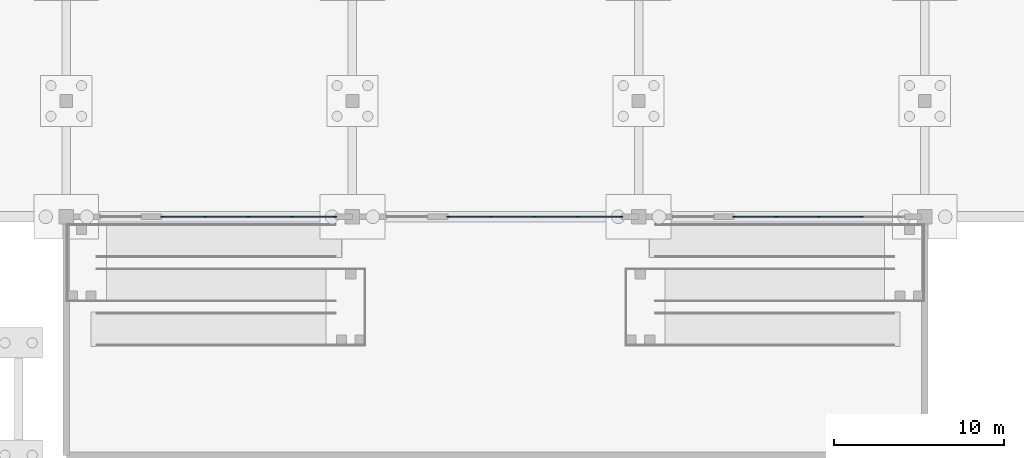
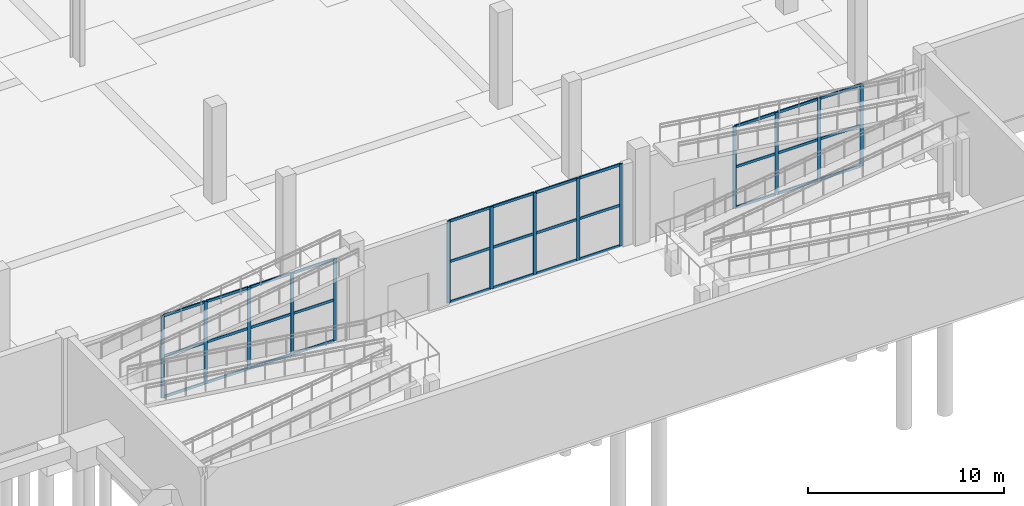
# One storey, part 21 of 46: 47 members, 3 elements without a shape of their own.
"""IFC4 building model written with IfcOpenShell, lengths in metres."""

from ifc_helpers import new_model, si_unit, direction, frame, origin, origin_2d, place, context, subcontext, project, spatial, rectangle, extrude, material, material_profile, profile_set, type_object, element, aggregate, save


model = new_model("IFC4")

# Units and contexts
model_context = context("Model", 3, precision=1e-05, world=origin(), true_north=direction((0.0, 1.0)))
body_context = subcontext(model_context, "Body", "Model", "MODEL_VIEW")
ifc_project = project(units=[si_unit("LENGTHUNIT", "METRE"), si_unit("AREAUNIT", "SQUARE_METRE"), si_unit("VOLUMEUNIT", "CUBIC_METRE"), si_unit("PLANEANGLEUNIT", "RADIAN"), si_unit("MASSUNIT", "GRAM", prefix="KILO")], contexts=[model_context])

# Site, building, storey
site_placement = place(None, origin())
site = spatial("IfcSite", under=ifc_project, at=site_placement, CompositionType="ELEMENT")
building_placement = place(site_placement, origin())
building = spatial("IfcBuilding", under=site, at=building_placement, Name="Kimbaza Rail Terminus", CompositionType="ELEMENT")
storey_placement = place(building_placement, frame((0.0, 0.0, -6.0)))
storey = spatial("IfcBuildingStorey", under=building, at=storey_placement, Name="B1", CompositionType="ELEMENT", Elevation=-6.0)

# Curtain wall, members
ifc_material_1 = material(Name="Anodised aluminium framing and solar low-E glazing", Category="aluminium")
curtain_wall_type = type_object("IfcCurtainWallType", Name="ARC-CW-CN1", PredefinedType="USERDEFINED", material=ifc_material_1)
curtain_wall_1_placement = place(storey_placement, origin())
curtain_wall_1 = element("IfcCurtainWall", 1, at=curtain_wall_1_placement, inside=storey, type_object=curtain_wall_type, Name="Metro Sunken Plaza Curtain Wall 1", ObjectType="UNITISED CURTAIN WALL", PredefinedType="USERDEFINED")
ifc_material_2 = material(Name="Anodised architectural aluminium", Category="aluminium")
ifc_material_profile_1 = material_profile(ifc_material_2, rectangle(XDim=0.070068359375, YDim=0.199951171875, at=origin_2d()), Name="MULLION 70x200")
ifc_profile_set_1 = profile_set([ifc_material_profile_1], Name="Anodised architectural aluminium")
member_type_1 = type_object("IfcMemberType", Name="ARC-CWM-02", PredefinedType="MULLION", material=ifc_profile_set_1)
member_1_placement = place(storey_placement, frame((94.43505859375, 27.0, 0.0), z_axis=(0.0, 0.0, 1.0), x_axis=(0.0, 1.0, 0.0)))
member_1 = element("IfcMember", 2, at=member_1_placement, type_object=member_type_1, Name="CW-02 mullion 1", PredefinedType="MULLION", context=body_context, shape_type="SweptSolid", body=[
    extrude(rectangle(XDim=0.070068359375, YDim=0.199951171875, at=origin_2d()), origin(), (0.0, 0.0, 1.0), 5.10009765625),
])
member_2_placement = place(storey_placement, frame((96.949951171875, 27.0, 0.0), z_axis=(0.0, 0.0, 1.0), x_axis=(0.0, 1.0, 0.0)))
member_2 = element("IfcMember", 3, at=member_2_placement, type_object=member_type_1, Name="CW-02 mullion 2", PredefinedType="MULLION", context=body_context, shape_type="SweptSolid", body=[
    extrude(rectangle(XDim=0.070068359375, YDim=0.199951171875, at=origin_2d()), origin(), (0.0, 0.0, 1.0), 5.10009765625),
])
member_3_placement = place(storey_placement, frame((99.5, 27.0, 0.0), z_axis=(0.0, 0.0, 1.0), x_axis=(0.0, 1.0, 0.0)))
member_3 = element("IfcMember", 4, at=member_3_placement, type_object=member_type_1, Name="CW-02 mullion 3", PredefinedType="MULLION", context=body_context, shape_type="SweptSolid", body=[
    extrude(rectangle(XDim=0.070068359375, YDim=0.199951171875, at=origin_2d()), origin(), (0.0, 0.0, 1.0), 5.10009765625),
])
member_4_placement = place(storey_placement, frame((102.050048828125, 27.0, 0.0), z_axis=(0.0, 0.0, 1.0), x_axis=(0.0, 1.0, 0.0)))
member_4 = element("IfcMember", 5, at=member_4_placement, type_object=member_type_1, Name="CW-02 mullion 4", PredefinedType="MULLION", context=body_context, shape_type="SweptSolid", body=[
    extrude(rectangle(XDim=0.070068359375, YDim=0.199951171875, at=origin_2d()), origin(), (0.0, 0.0, 1.0), 5.10009765625),
])
member_5_placement = place(storey_placement, frame((104.56494140625, 27.0, 0.0), z_axis=(0.0, 0.0, 1.0), x_axis=(0.0, 1.0, 0.0)))
member_5 = element("IfcMember", 6, at=member_5_placement, type_object=member_type_1, Name="CW-02 mullion 5", PredefinedType="MULLION", context=body_context, shape_type="SweptSolid", body=[
    extrude(rectangle(XDim=0.070068359375, YDim=0.199951171875, at=origin_2d()), origin(), (0.0, 0.0, 1.0), 5.10009765625),
])

curtain_wall_2_placement = place(storey_placement, origin())
curtain_wall_2 = element("IfcCurtainWall", 7, at=curtain_wall_2_placement, inside=storey, type_object=curtain_wall_type, Name="Metro Sunken Plaza Curtain Wall 2", ObjectType="UNITISED CURTAIN WALL", PredefinedType="USERDEFINED")
member_6_placement = place(storey_placement, frame((111.235107421875, 27.0, 0.0), z_axis=(0.0, 0.0, 1.0), x_axis=(0.0, 1.0, 0.0)))
member_6 = element("IfcMember", 8, at=member_6_placement, type_object=member_type_1, Name="CW-02 mullion 1", PredefinedType="MULLION", context=body_context, shape_type="SweptSolid", body=[
    extrude(rectangle(XDim=0.070068359375, YDim=0.199951171875, at=origin_2d()), origin(), (0.0, 0.0, 1.0), 5.10009765625),
])
member_7_placement = place(storey_placement, frame((113.75, 27.0, 0.0), z_axis=(0.0, 0.0, 1.0), x_axis=(0.0, 1.0, 0.0)))
member_7 = element("IfcMember", 9, at=member_7_placement, type_object=member_type_1, Name="CW-02 mullion 2", PredefinedType="MULLION", context=body_context, shape_type="SweptSolid", body=[
    extrude(rectangle(XDim=0.070068359375, YDim=0.199951171875, at=origin_2d()), origin(), (0.0, 0.0, 1.0), 5.10009765625),
])
member_8_placement = place(storey_placement, frame((116.300048828125, 27.0, 0.0), z_axis=(0.0, 0.0, 1.0), x_axis=(0.0, 1.0, 0.0)))
member_8 = element("IfcMember", 10, at=member_8_placement, type_object=member_type_1, Name="CW-02 mullion 3", PredefinedType="MULLION", context=body_context, shape_type="SweptSolid", body=[
    extrude(rectangle(XDim=0.070068359375, YDim=0.199951171875, at=origin_2d()), origin(), (0.0, 0.0, 1.0), 5.10009765625),
])
member_9_placement = place(storey_placement, frame((118.85009765625, 27.0, 0.0), z_axis=(0.0, 0.0, 1.0), x_axis=(0.0, 1.0, 0.0)))
member_9 = element("IfcMember", 11, at=member_9_placement, type_object=member_type_1, Name="CW-02 mullion 4", PredefinedType="MULLION", context=body_context, shape_type="SweptSolid", body=[
    extrude(rectangle(XDim=0.070068359375, YDim=0.199951171875, at=origin_2d()), origin(), (0.0, 0.0, 1.0), 5.10009765625),
])
member_10_placement = place(storey_placement, frame((121.364990234375, 27.0, 0.0), z_axis=(0.0, 0.0, 1.0), x_axis=(0.0, 1.0, 0.0)))
member_10 = element("IfcMember", 12, at=member_10_placement, type_object=member_type_1, Name="CW-02 mullion 5", PredefinedType="MULLION", context=body_context, shape_type="SweptSolid", body=[
    extrude(rectangle(XDim=0.070068359375, YDim=0.199951171875, at=origin_2d()), origin(), (0.0, 0.0, 1.0), 5.10009765625),
])

curtain_wall_3_placement = place(storey_placement, origin())
curtain_wall_3 = element("IfcCurtainWall", 13, at=curtain_wall_3_placement, inside=storey, type_object=curtain_wall_type, Name="Metro Sunken Plaza Curtain Wall 3", ObjectType="UNITISED CURTAIN WALL", PredefinedType="USERDEFINED")
member_11_placement = place(storey_placement, frame((128.034912109375, 27.0, 0.0), z_axis=(0.0, 0.0, 1.0), x_axis=(0.0, 1.0, 0.0)))
member_11 = element("IfcMember", 14, at=member_11_placement, type_object=member_type_1, Name="CW-02 mullion 1", PredefinedType="MULLION", context=body_context, shape_type="SweptSolid", body=[
    extrude(rectangle(XDim=0.070068359375, YDim=0.199951171875, at=origin_2d()), origin(), (0.0, 0.0, 1.0), 5.10009765625),
])
member_12_placement = place(storey_placement, frame((130.5, 27.0, 0.0), z_axis=(0.0, 0.0, 1.0), x_axis=(0.0, 1.0, 0.0)))
member_12 = element("IfcMember", 15, at=member_12_placement, type_object=member_type_1, Name="CW-02 mullion 2", PredefinedType="MULLION", context=body_context, shape_type="SweptSolid", body=[
    extrude(rectangle(XDim=0.070068359375, YDim=0.199951171875, at=origin_2d()), origin(), (0.0, 0.0, 1.0), 5.10009765625),
])
member_13_placement = place(storey_placement, frame((133.0, 27.0, 0.0), z_axis=(0.0, 0.0, 1.0), x_axis=(0.0, 1.0, 0.0)))
member_13 = element("IfcMember", 16, at=member_13_placement, type_object=member_type_1, Name="CW-02 mullion 3", PredefinedType="MULLION", context=body_context, shape_type="SweptSolid", body=[
    extrude(rectangle(XDim=0.070068359375, YDim=0.199951171875, at=origin_2d()), origin(), (0.0, 0.0, 1.0), 5.10009765625),
])
member_14_placement = place(storey_placement, frame((135.5, 27.0, 0.0), z_axis=(0.0, 0.0, 1.0), x_axis=(0.0, 1.0, 0.0)))
member_14 = element("IfcMember", 17, at=member_14_placement, type_object=member_type_1, Name="CW-02 mullion 4", PredefinedType="MULLION", context=body_context, shape_type="SweptSolid", body=[
    extrude(rectangle(XDim=0.070068359375, YDim=0.199951171875, at=origin_2d()), origin(), (0.0, 0.0, 1.0), 5.10009765625),
])

# Member
ifc_material_3 = material(Name="Anodised architectural aluminium", Category="aluminium")
ifc_material_profile_2 = material_profile(ifc_material_3, rectangle(XDim=0.070068359375, YDim=0.159912109375, at=origin_2d()), Name="TRANSOM 70x160")
ifc_profile_set_2 = profile_set([ifc_material_profile_2], Name="Anodised architectural aluminium")
member_type_2 = type_object("IfcMemberType", Name="ARC-CWT-02", PredefinedType="USERDEFINED", material=ifc_profile_set_2)
member_15_placement = place(storey_placement, frame((94.469970703125, 27.0, 0.034912109375), z_axis=(1.0, 0.0, 0.0), x_axis=(0.0, 1.0, 0.0)))
member_15 = element("IfcMember", 18, at=member_15_placement, type_object=member_type_2, Name="CW-02 transom 1.1", ObjectType="TRANSOM", PredefinedType="USERDEFINED", context=body_context, shape_type="SweptSolid", body=[
    extrude(rectangle(XDim=0.070068359375, YDim=0.159912109375, at=origin_2d()), origin(), (0.0, 0.0, 1.0), 2.445068359375),
])

member_16_placement = place(storey_placement, frame((94.469970703125, 27.0, 2.550048828125), z_axis=(1.0, 0.0, 0.0), x_axis=(0.0, 1.0, 0.0)))
member_16 = element("IfcMember", 19, at=member_16_placement, type_object=member_type_2, Name="CW-02 transom 1.2", ObjectType="TRANSOM", PredefinedType="USERDEFINED", context=body_context, shape_type="SweptSolid", body=[
    extrude(rectangle(XDim=0.070068359375, YDim=0.159912109375, at=origin_2d()), origin(), (0.0, 0.0, 1.0), 2.445068359375),
])

member_17_placement = place(storey_placement, frame((94.469970703125, 27.0, 5.06494140625), z_axis=(1.0, 0.0, 0.0), x_axis=(0.0, 1.0, 0.0)))
member_17 = element("IfcMember", 20, at=member_17_placement, type_object=member_type_2, Name="CW-02 transom 1.3", ObjectType="TRANSOM", PredefinedType="USERDEFINED", context=body_context, shape_type="SweptSolid", body=[
    extrude(rectangle(XDim=0.070068359375, YDim=0.159912109375, at=origin_2d()), origin(), (0.0, 0.0, 1.0), 2.445068359375),
])

member_18_placement = place(storey_placement, frame((96.985107421875, 27.0, 0.034912109375), z_axis=(1.0, 0.0, 0.0), x_axis=(0.0, 1.0, 0.0)))
member_18 = element("IfcMember", 21, at=member_18_placement, type_object=member_type_2, Name="CW-02 transom 2.1", ObjectType="TRANSOM", PredefinedType="USERDEFINED", context=body_context, shape_type="SweptSolid", body=[
    extrude(rectangle(XDim=0.070068359375, YDim=0.159912109375, at=origin_2d()), origin(), (0.0, 0.0, 1.0), 2.47998046875),
])

member_19_placement = place(storey_placement, frame((96.985107421875, 27.0, 2.550048828125), z_axis=(1.0, 0.0, 0.0), x_axis=(0.0, 1.0, 0.0)))
member_19 = element("IfcMember", 22, at=member_19_placement, type_object=member_type_2, Name="CW-02 transom 2.2", ObjectType="TRANSOM", PredefinedType="USERDEFINED", context=body_context, shape_type="SweptSolid", body=[
    extrude(rectangle(XDim=0.070068359375, YDim=0.159912109375, at=origin_2d()), origin(), (0.0, 0.0, 1.0), 2.47998046875),
])

member_20_placement = place(storey_placement, frame((96.985107421875, 27.0, 5.06494140625), z_axis=(1.0, 0.0, 0.0), x_axis=(0.0, 1.0, 0.0)))
member_20 = element("IfcMember", 23, at=member_20_placement, type_object=member_type_2, Name="CW-02 transom 2.3", ObjectType="TRANSOM", PredefinedType="USERDEFINED", context=body_context, shape_type="SweptSolid", body=[
    extrude(rectangle(XDim=0.070068359375, YDim=0.159912109375, at=origin_2d()), origin(), (0.0, 0.0, 1.0), 2.47998046875),
])

member_21_placement = place(storey_placement, frame((99.534912109375, 27.0, 0.034912109375), z_axis=(1.0, 0.0, 0.0), x_axis=(0.0, 1.0, 0.0)))
member_21 = element("IfcMember", 24, at=member_21_placement, type_object=member_type_2, Name="CW-02 transom 3.1", ObjectType="TRANSOM", PredefinedType="USERDEFINED", context=body_context, shape_type="SweptSolid", body=[
    extrude(rectangle(XDim=0.070068359375, YDim=0.159912109375, at=origin_2d()), origin(), (0.0, 0.0, 1.0), 2.47998046875),
])

member_22_placement = place(storey_placement, frame((99.534912109375, 27.0, 2.550048828125), z_axis=(1.0, 0.0, 0.0), x_axis=(0.0, 1.0, 0.0)))
member_22 = element("IfcMember", 25, at=member_22_placement, type_object=member_type_2, Name="CW-02 transom 3.2", ObjectType="TRANSOM", PredefinedType="USERDEFINED", context=body_context, shape_type="SweptSolid", body=[
    extrude(rectangle(XDim=0.070068359375, YDim=0.159912109375, at=origin_2d()), origin(), (0.0, 0.0, 1.0), 2.47998046875),
])

member_23_placement = place(storey_placement, frame((99.534912109375, 27.0, 5.06494140625), z_axis=(1.0, 0.0, 0.0), x_axis=(0.0, 1.0, 0.0)))
member_23 = element("IfcMember", 26, at=member_23_placement, type_object=member_type_2, Name="CW-02 transom 3.3", ObjectType="TRANSOM", PredefinedType="USERDEFINED", context=body_context, shape_type="SweptSolid", body=[
    extrude(rectangle(XDim=0.070068359375, YDim=0.159912109375, at=origin_2d()), origin(), (0.0, 0.0, 1.0), 2.47998046875),
])

member_24_placement = place(storey_placement, frame((102.0849609375, 27.0, 0.034912109375), z_axis=(1.0, 0.0, 0.0), x_axis=(0.0, 1.0, 0.0)))
member_24 = element("IfcMember", 27, at=member_24_placement, type_object=member_type_2, Name="CW-02 transom 4.1", ObjectType="TRANSOM", PredefinedType="USERDEFINED", context=body_context, shape_type="SweptSolid", body=[
    extrude(rectangle(XDim=0.070068359375, YDim=0.159912109375, at=origin_2d()), origin(), (0.0, 0.0, 1.0), 2.445068359375),
])

member_25_placement = place(storey_placement, frame((102.0849609375, 27.0, 2.550048828125), z_axis=(1.0, 0.0, 0.0), x_axis=(0.0, 1.0, 0.0)))
member_25 = element("IfcMember", 28, at=member_25_placement, type_object=member_type_2, Name="CW-02 transom 4.2", ObjectType="TRANSOM", PredefinedType="USERDEFINED", context=body_context, shape_type="SweptSolid", body=[
    extrude(rectangle(XDim=0.070068359375, YDim=0.159912109375, at=origin_2d()), origin(), (0.0, 0.0, 1.0), 2.445068359375),
])

member_26_placement = place(storey_placement, frame((102.0849609375, 27.0, 5.06494140625), z_axis=(1.0, 0.0, 0.0), x_axis=(0.0, 1.0, 0.0)))
member_26 = element("IfcMember", 29, at=member_26_placement, type_object=member_type_2, Name="CW-02 transom 4.3", ObjectType="TRANSOM", PredefinedType="USERDEFINED", context=body_context, shape_type="SweptSolid", body=[
    extrude(rectangle(XDim=0.070068359375, YDim=0.159912109375, at=origin_2d()), origin(), (0.0, 0.0, 1.0), 2.445068359375),
])

aggregate(curtain_wall_1, [member_1, member_2, member_3, member_4, member_5, member_15, member_16, member_17, member_18, member_19, member_20, member_21, member_22, member_23, member_24, member_25, member_26])

member_27_placement = place(storey_placement, frame((111.27001953125, 27.0, 0.034912109375), z_axis=(1.0, 0.0, 0.0), x_axis=(0.0, 1.0, 0.0)))
member_27 = element("IfcMember", 30, at=member_27_placement, type_object=member_type_2, Name="CW-02 transom 1.1", ObjectType="TRANSOM", PredefinedType="USERDEFINED", context=body_context, shape_type="SweptSolid", body=[
    extrude(rectangle(XDim=0.070068359375, YDim=0.159912109375, at=origin_2d()), origin(), (0.0, 0.0, 1.0), 2.445068359375),
])

member_28_placement = place(storey_placement, frame((111.27001953125, 27.0, 2.550048828125), z_axis=(1.0, 0.0, 0.0), x_axis=(0.0, 1.0, 0.0)))
member_28 = element("IfcMember", 31, at=member_28_placement, type_object=member_type_2, Name="CW-02 transom 1.2", ObjectType="TRANSOM", PredefinedType="USERDEFINED", context=body_context, shape_type="SweptSolid", body=[
    extrude(rectangle(XDim=0.070068359375, YDim=0.159912109375, at=origin_2d()), origin(), (0.0, 0.0, 1.0), 2.445068359375),
])

member_29_placement = place(storey_placement, frame((111.27001953125, 27.0, 5.06494140625), z_axis=(1.0, 0.0, 0.0), x_axis=(0.0, 1.0, 0.0)))
member_29 = element("IfcMember", 32, at=member_29_placement, type_object=member_type_2, Name="CW-02 transom 1.3", ObjectType="TRANSOM", PredefinedType="USERDEFINED", context=body_context, shape_type="SweptSolid", body=[
    extrude(rectangle(XDim=0.070068359375, YDim=0.159912109375, at=origin_2d()), origin(), (0.0, 0.0, 1.0), 2.445068359375),
])

member_30_placement = place(storey_placement, frame((113.784912109375, 27.0, 0.034912109375), z_axis=(1.0, 0.0, 0.0), x_axis=(0.0, 1.0, 0.0)))
member_30 = element("IfcMember", 33, at=member_30_placement, type_object=member_type_2, Name="CW-02 transom 2.1", ObjectType="TRANSOM", PredefinedType="USERDEFINED", context=body_context, shape_type="SweptSolid", body=[
    extrude(rectangle(XDim=0.070068359375, YDim=0.159912109375, at=origin_2d()), origin(), (0.0, 0.0, 1.0), 2.47998046875),
])

member_31_placement = place(storey_placement, frame((113.784912109375, 27.0, 2.550048828125), z_axis=(1.0, 0.0, 0.0), x_axis=(0.0, 1.0, 0.0)))
member_31 = element("IfcMember", 34, at=member_31_placement, type_object=member_type_2, Name="CW-02 transom 2.2", ObjectType="TRANSOM", PredefinedType="USERDEFINED", context=body_context, shape_type="SweptSolid", body=[
    extrude(rectangle(XDim=0.070068359375, YDim=0.159912109375, at=origin_2d()), origin(), (0.0, 0.0, 1.0), 2.47998046875),
])

member_32_placement = place(storey_placement, frame((113.784912109375, 27.0, 5.06494140625), z_axis=(1.0, 0.0, 0.0), x_axis=(0.0, 1.0, 0.0)))
member_32 = element("IfcMember", 35, at=member_32_placement, type_object=member_type_2, Name="CW-02 transom 2.3", ObjectType="TRANSOM", PredefinedType="USERDEFINED", context=body_context, shape_type="SweptSolid", body=[
    extrude(rectangle(XDim=0.070068359375, YDim=0.159912109375, at=origin_2d()), origin(), (0.0, 0.0, 1.0), 2.47998046875),
])

member_33_placement = place(storey_placement, frame((116.3349609375, 27.0, 0.034912109375), z_axis=(1.0, 0.0, 0.0), x_axis=(0.0, 1.0, 0.0)))
member_33 = element("IfcMember", 36, at=member_33_placement, type_object=member_type_2, Name="CW-02 transom 3.1", ObjectType="TRANSOM", PredefinedType="USERDEFINED", context=body_context, shape_type="SweptSolid", body=[
    extrude(rectangle(XDim=0.070068359375, YDim=0.159912109375, at=origin_2d()), origin(), (0.0, 0.0, 1.0), 2.47998046875),
])

member_34_placement = place(storey_placement, frame((116.3349609375, 27.0, 2.550048828125), z_axis=(1.0, 0.0, 0.0), x_axis=(0.0, 1.0, 0.0)))
member_34 = element("IfcMember", 37, at=member_34_placement, type_object=member_type_2, Name="CW-02 transom 3.2", ObjectType="TRANSOM", PredefinedType="USERDEFINED", context=body_context, shape_type="SweptSolid", body=[
    extrude(rectangle(XDim=0.070068359375, YDim=0.159912109375, at=origin_2d()), origin(), (0.0, 0.0, 1.0), 2.47998046875),
])

member_35_placement = place(storey_placement, frame((116.3349609375, 27.0, 5.06494140625), z_axis=(1.0, 0.0, 0.0), x_axis=(0.0, 1.0, 0.0)))
member_35 = element("IfcMember", 38, at=member_35_placement, type_object=member_type_2, Name="CW-02 transom 3.3", ObjectType="TRANSOM", PredefinedType="USERDEFINED", context=body_context, shape_type="SweptSolid", body=[
    extrude(rectangle(XDim=0.070068359375, YDim=0.159912109375, at=origin_2d()), origin(), (0.0, 0.0, 1.0), 2.47998046875),
])

member_36_placement = place(storey_placement, frame((118.885009765625, 27.0, 0.034912109375), z_axis=(1.0, 0.0, 0.0), x_axis=(0.0, 1.0, 0.0)))
member_36 = element("IfcMember", 39, at=member_36_placement, type_object=member_type_2, Name="CW-02 transom 4.1", ObjectType="TRANSOM", PredefinedType="USERDEFINED", context=body_context, shape_type="SweptSolid", body=[
    extrude(rectangle(XDim=0.070068359375, YDim=0.159912109375, at=origin_2d()), origin(), (0.0, 0.0, 1.0), 2.445068359375),
])

member_37_placement = place(storey_placement, frame((118.885009765625, 27.0, 2.550048828125), z_axis=(1.0, 0.0, 0.0), x_axis=(0.0, 1.0, 0.0)))
member_37 = element("IfcMember", 40, at=member_37_placement, type_object=member_type_2, Name="CW-02 transom 4.2", ObjectType="TRANSOM", PredefinedType="USERDEFINED", context=body_context, shape_type="SweptSolid", body=[
    extrude(rectangle(XDim=0.070068359375, YDim=0.159912109375, at=origin_2d()), origin(), (0.0, 0.0, 1.0), 2.445068359375),
])

member_38_placement = place(storey_placement, frame((118.885009765625, 27.0, 5.06494140625), z_axis=(1.0, 0.0, 0.0), x_axis=(0.0, 1.0, 0.0)))
member_38 = element("IfcMember", 41, at=member_38_placement, type_object=member_type_2, Name="CW-02 transom 4.3", ObjectType="TRANSOM", PredefinedType="USERDEFINED", context=body_context, shape_type="SweptSolid", body=[
    extrude(rectangle(XDim=0.070068359375, YDim=0.159912109375, at=origin_2d()), origin(), (0.0, 0.0, 1.0), 2.445068359375),
])

aggregate(curtain_wall_2, [member_6, member_7, member_8, member_9, member_10, member_27, member_28, member_29, member_30, member_31, member_32, member_33, member_34, member_35, member_36, member_37, member_38])

member_39_placement = place(storey_placement, frame((128.070068359375, 27.0, 0.034912109375), z_axis=(1.0, 0.0, 0.0), x_axis=(0.0, 1.0, 0.0)))
member_39 = element("IfcMember", 42, at=member_39_placement, type_object=member_type_2, Name="CW-02 transom 1.1", ObjectType="TRANSOM", PredefinedType="USERDEFINED", context=body_context, shape_type="SweptSolid", body=[
    extrude(rectangle(XDim=0.070068359375, YDim=0.159912109375, at=origin_2d()), origin(), (0.0, 0.0, 1.0), 2.39501953125),
])

member_40_placement = place(storey_placement, frame((128.070068359375, 27.0, 2.550048828125), z_axis=(1.0, 0.0, 0.0), x_axis=(0.0, 1.0, 0.0)))
member_40 = element("IfcMember", 43, at=member_40_placement, type_object=member_type_2, Name="CW-02 transom 1.2", ObjectType="TRANSOM", PredefinedType="USERDEFINED", context=body_context, shape_type="SweptSolid", body=[
    extrude(rectangle(XDim=0.070068359375, YDim=0.159912109375, at=origin_2d()), origin(), (0.0, 0.0, 1.0), 2.39501953125),
])

member_41_placement = place(storey_placement, frame((128.070068359375, 27.0, 5.06494140625), z_axis=(1.0, 0.0, 0.0), x_axis=(0.0, 1.0, 0.0)))
member_41 = element("IfcMember", 44, at=member_41_placement, type_object=member_type_2, Name="CW-02 transom 1.3", ObjectType="TRANSOM", PredefinedType="USERDEFINED", context=body_context, shape_type="SweptSolid", body=[
    extrude(rectangle(XDim=0.070068359375, YDim=0.159912109375, at=origin_2d()), origin(), (0.0, 0.0, 1.0), 2.39501953125),
])

member_42_placement = place(storey_placement, frame((130.534912109375, 27.0, 0.034912109375), z_axis=(1.0, 0.0, 0.0), x_axis=(0.0, 1.0, 0.0)))
member_42 = element("IfcMember", 45, at=member_42_placement, type_object=member_type_2, Name="CW-02 transom 2.1", ObjectType="TRANSOM", PredefinedType="USERDEFINED", context=body_context, shape_type="SweptSolid", body=[
    extrude(rectangle(XDim=0.070068359375, YDim=0.159912109375, at=origin_2d()), origin(), (0.0, 0.0, 1.0), 2.43017578125),
])

member_43_placement = place(storey_placement, frame((130.534912109375, 27.0, 2.550048828125), z_axis=(1.0, 0.0, 0.0), x_axis=(0.0, 1.0, 0.0)))
member_43 = element("IfcMember", 46, at=member_43_placement, type_object=member_type_2, Name="CW-02 transom 2.2", ObjectType="TRANSOM", PredefinedType="USERDEFINED", context=body_context, shape_type="SweptSolid", body=[
    extrude(rectangle(XDim=0.070068359375, YDim=0.159912109375, at=origin_2d()), origin(), (0.0, 0.0, 1.0), 2.43017578125),
])

member_44_placement = place(storey_placement, frame((130.534912109375, 27.0, 5.06494140625), z_axis=(1.0, 0.0, 0.0), x_axis=(0.0, 1.0, 0.0)))
member_44 = element("IfcMember", 47, at=member_44_placement, type_object=member_type_2, Name="CW-02 transom 2.3", ObjectType="TRANSOM", PredefinedType="USERDEFINED", context=body_context, shape_type="SweptSolid", body=[
    extrude(rectangle(XDim=0.070068359375, YDim=0.159912109375, at=origin_2d()), origin(), (0.0, 0.0, 1.0), 2.43017578125),
])

member_45_placement = place(storey_placement, frame((133.034912109375, 27.0, 0.034912109375), z_axis=(1.0, 0.0, 0.0), x_axis=(0.0, 1.0, 0.0)))
member_45 = element("IfcMember", 48, at=member_45_placement, type_object=member_type_2, Name="CW-02 transom 3.1", ObjectType="TRANSOM", PredefinedType="USERDEFINED", context=body_context, shape_type="SweptSolid", body=[
    extrude(rectangle(XDim=0.070068359375, YDim=0.159912109375, at=origin_2d()), origin(), (0.0, 0.0, 1.0), 2.43017578125),
])

member_46_placement = place(storey_placement, frame((133.034912109375, 27.0, 2.550048828125), z_axis=(1.0, 0.0, 0.0), x_axis=(0.0, 1.0, 0.0)))
member_46 = element("IfcMember", 49, at=member_46_placement, type_object=member_type_2, Name="CW-02 transom 3.2", ObjectType="TRANSOM", PredefinedType="USERDEFINED", context=body_context, shape_type="SweptSolid", body=[
    extrude(rectangle(XDim=0.070068359375, YDim=0.159912109375, at=origin_2d()), origin(), (0.0, 0.0, 1.0), 2.43017578125),
])

member_47_placement = place(storey_placement, frame((133.034912109375, 27.0, 5.06494140625), z_axis=(1.0, 0.0, 0.0), x_axis=(0.0, 1.0, 0.0)))
member_47 = element("IfcMember", 50, at=member_47_placement, type_object=member_type_2, Name="CW-02 transom 3.3", ObjectType="TRANSOM", PredefinedType="USERDEFINED", context=body_context, shape_type="SweptSolid", body=[
    extrude(rectangle(XDim=0.070068359375, YDim=0.159912109375, at=origin_2d()), origin(), (0.0, 0.0, 1.0), 2.43017578125),
])

aggregate(curtain_wall_3, [member_11, member_12, member_13, member_14, member_39, member_40, member_41, member_42, member_43, member_44, member_45, member_46, member_47])

save(model, "model.ifc")
